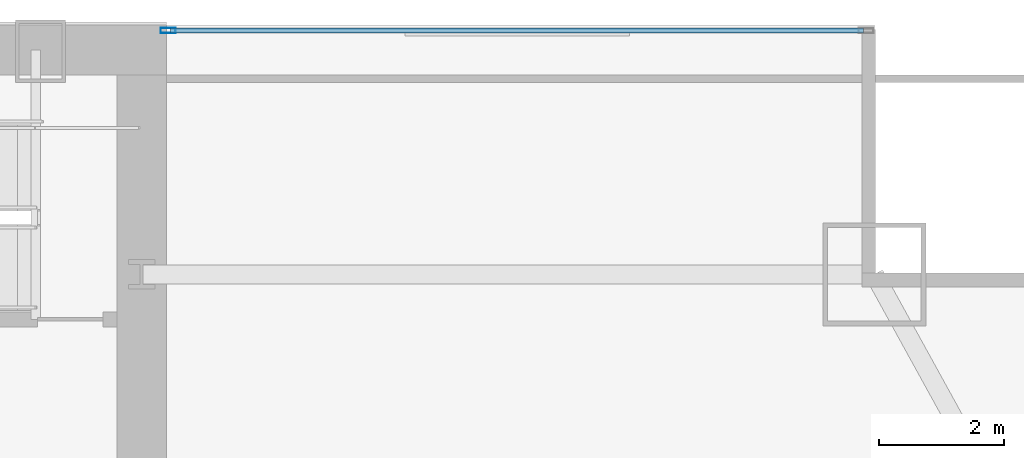
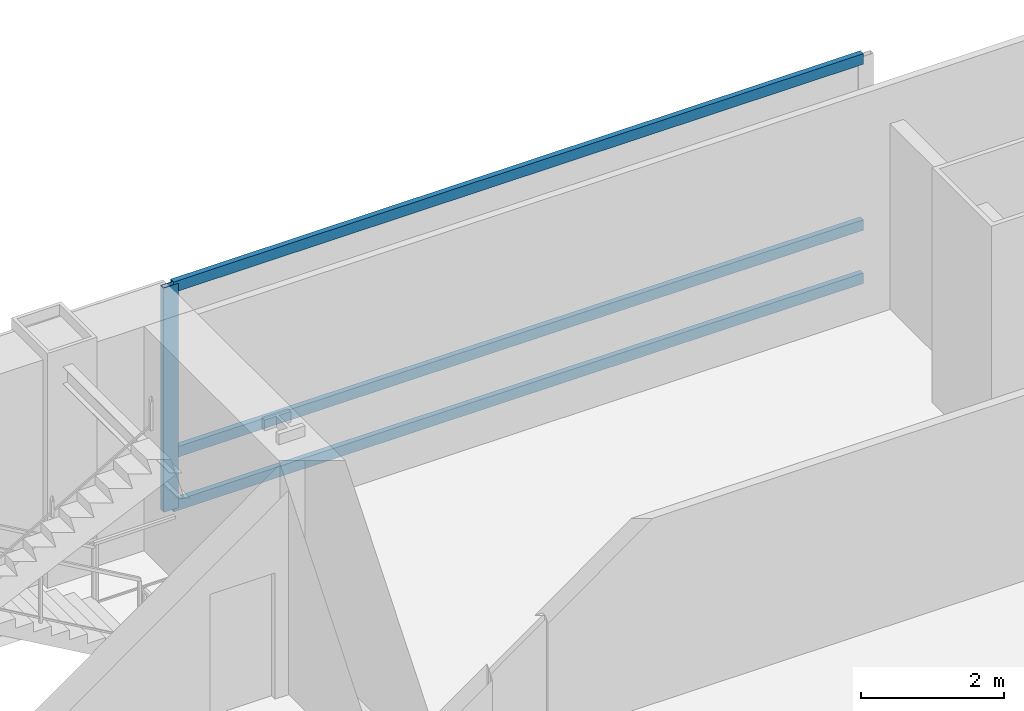
# One storey, part 20 of 37: 4 members, 1 element without a shape of its own.
"""IFC4 building model written with IfcOpenShell, lengths in metres."""

from ifc_helpers import new_model, si_unit, direction, frame, origin, origin_2d, place, context, subcontext, project, spatial, hollow_rectangle, extrude, material, material_profile, profile_set, type_object, element, aggregate, save


model = new_model("IFC4")

# Units and contexts
model_context = context("Model", 3, precision=1e-05, world=origin(), true_north=direction((0.0, 1.0)))
body_context = subcontext(model_context, "Body", "Model", "MODEL_VIEW")
ifc_project = project(units=[si_unit("LENGTHUNIT", "METRE"), si_unit("AREAUNIT", "SQUARE_METRE"), si_unit("VOLUMEUNIT", "CUBIC_METRE"), si_unit("PLANEANGLEUNIT", "RADIAN"), si_unit("MASSUNIT", "GRAM", prefix="KILO")], contexts=[model_context])

# Site, building, storey
site_placement = place(None, origin())
site = spatial("IfcSite", under=ifc_project, at=site_placement, CompositionType="ELEMENT")
building_placement = place(site_placement, origin())
building = spatial("IfcBuilding", under=site, at=building_placement, Name="Khoronbel Lancet Exchange", CompositionType="ELEMENT")
storey_placement = place(building_placement, frame((0.0, 0.0, 45.800048828125)))
storey = spatial("IfcBuildingStorey", under=building, at=storey_placement, Name="L10", CompositionType="ELEMENT", Elevation=45.800048828125)

# Curtain wall, members
ifc_material_1 = material(Name="Low-E Solar Control Insulating Glass", Category="glass")
curtain_wall_type = type_object("IfcCurtainWallType", Name="CW-1", PredefinedType="NOTDEFINED", material=ifc_material_1)
curtain_wall_placement = place(storey_placement, origin())
curtain_wall = element("IfcCurtainWall", 1, at=curtain_wall_placement, inside=storey, type_object=curtain_wall_type, Name="Unitised curtain wall CW-L10-NEFLK", PredefinedType="NOTDEFINED")
ifc_material_2 = material(Name="Bronze-Anodised Aluminium 6063-T6", Category="aluminium")
ifc_material_profile_1 = material_profile(ifc_material_2, hollow_rectangle(XDim=0.0849609375, YDim=0.239990234375, WallThickness=0.006103515625, at=origin_2d()), Name="ALU MULLION 85x240")
ifc_profile_set_1 = profile_set([ifc_material_profile_1], Name="Bronze-Anodised Aluminium 6063-T6")
member_type_1 = type_object("IfcMemberType", Name="MEM-CWM1", PredefinedType="MULLION", material=ifc_profile_set_1)
member_1_placement = place(storey_placement, frame((56.722412109375, 53.610107421875, 0.0), z_axis=(0.0, 0.0, 1.0), x_axis=(0.0, -1.0, 0.0)))
member_1 = element("IfcMember", 2, at=member_1_placement, type_object=member_type_1, Name="CW1 mullion 2", PredefinedType="MULLION", context=body_context, shape_type="SweptSolid", body=[
    extrude(hollow_rectangle(XDim=0.0849609375, YDim=0.239990234375, WallThickness=0.006103515625, at=origin_2d()), origin(), (0.0, 0.0, 1.0), 3.820068359375),
])
ifc_material_profile_2 = material_profile(ifc_material_2, hollow_rectangle(XDim=0.0849609375, YDim=0.179931640625, WallThickness=0.0048828125, at=origin_2d()), Name="ALU TRANSOM 85x180")
ifc_profile_set_2 = profile_set([ifc_material_profile_2], Name="Bronze-Anodised Aluminium 6063-T6")
member_type_2 = type_object("IfcMemberType", Name="MEM-CWT1", PredefinedType="USERDEFINED", material=ifc_profile_set_2)
member_2_placement = place(storey_placement, frame((67.875, 53.610107421875, 0.04248046875), z_axis=(-1.0, 0.0, 0.0), x_axis=(0.0, -1.0, 0.0)))
member_2 = element("IfcMember", 3, at=member_2_placement, type_object=member_type_2, Name="CW1 transom 1.1", ObjectType="TRANSOM", PredefinedType="USERDEFINED", context=body_context, shape_type="SweptSolid", body=[
    extrude(hollow_rectangle(XDim=0.0849609375, YDim=0.179931640625, WallThickness=0.0048828125, at=origin_2d()), origin(), (0.0, 0.0, 1.0), 11.110107421875),
])
member_3_placement = place(storey_placement, frame((67.875, 53.610107421875, 0.949951171875), z_axis=(-1.0, 0.0, 0.0), x_axis=(0.0, -1.0, 0.0)))
member_3 = element("IfcMember", 4, at=member_3_placement, type_object=member_type_2, Name="CW1 transom 1.2", ObjectType="TRANSOM", PredefinedType="USERDEFINED", context=body_context, shape_type="SweptSolid", body=[
    extrude(hollow_rectangle(XDim=0.0849609375, YDim=0.179931640625, WallThickness=0.0048828125, at=origin_2d()), origin(), (0.0, 0.0, 1.0), 11.110107421875),
])
member_4_placement = place(storey_placement, frame((67.875, 53.610107421875, 3.77734375), z_axis=(-1.0, 0.0, 0.0), x_axis=(0.0, -1.0, 0.0)))
member_4 = element("IfcMember", 5, at=member_4_placement, type_object=member_type_2, Name="CW1 transom 1.3", ObjectType="TRANSOM", PredefinedType="USERDEFINED", context=body_context, shape_type="SweptSolid", body=[
    extrude(hollow_rectangle(XDim=0.0849609375, YDim=0.179931640625, WallThickness=0.0048828125, at=origin_2d()), origin(), (0.0, 0.0, 1.0), 11.110107421875),
])
aggregate(curtain_wall, [member_1, member_2, member_3, member_4])

save(model, "model.ifc")
